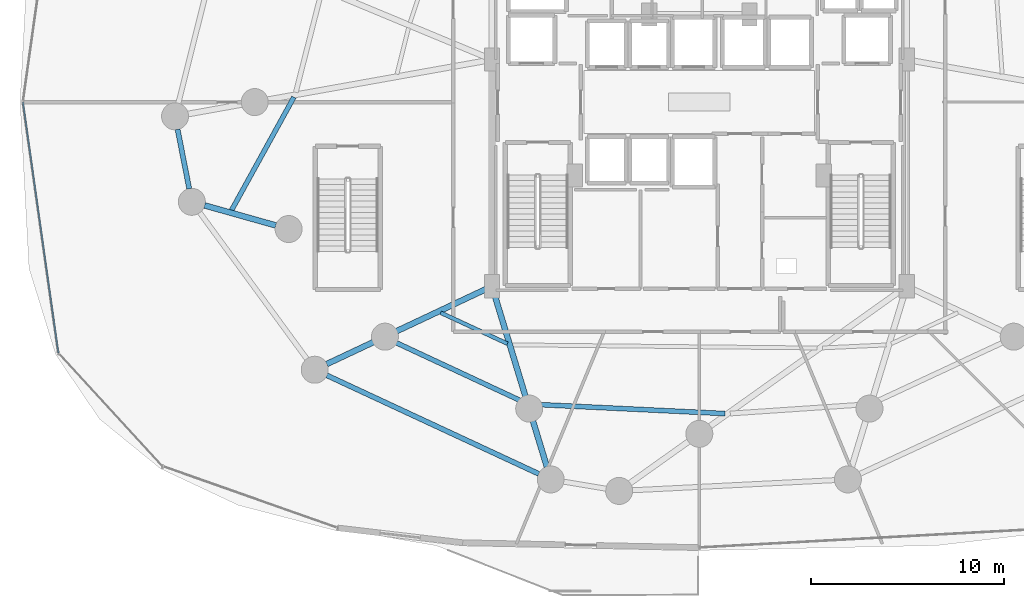
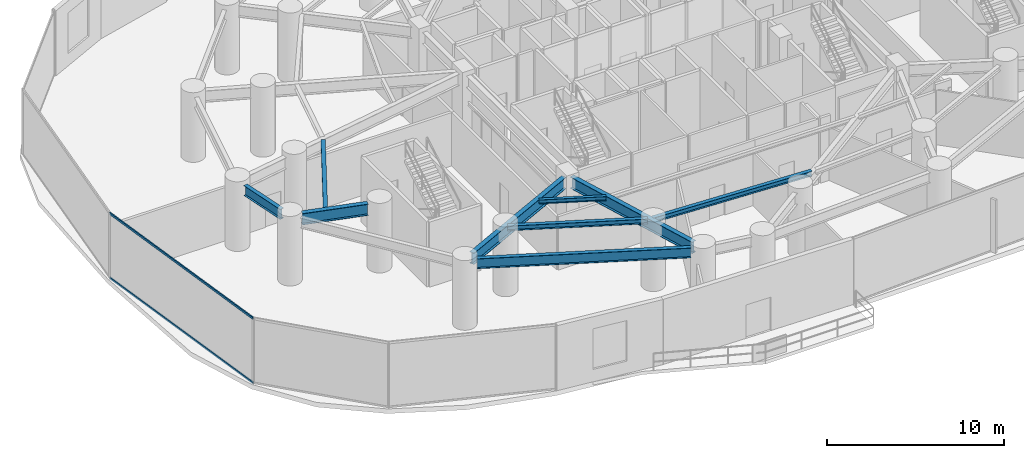
# One storey, part 6 of 30: 9 beams, 2 members, 1 element without a shape of its own.
"""IFC4 building model written with IfcOpenShell, lengths in metres."""

from ifc_helpers import new_model, si_unit, direction, frame, origin, origin_2d, place, context, subcontext, project, spatial, hollow_rectangle, i_section, extrude, material, material_profile, profile_set, type_object, element, aggregate, save


model = new_model("IFC4")

# Units and contexts
model_context = context("Model", 3, precision=1e-05, world=origin(), true_north=direction((0.0, 1.0)))
body_context = subcontext(model_context, "Body", "Model", "MODEL_VIEW")
ifc_project = project(units=[si_unit("LENGTHUNIT", "METRE"), si_unit("AREAUNIT", "SQUARE_METRE"), si_unit("VOLUMEUNIT", "CUBIC_METRE"), si_unit("PLANEANGLEUNIT", "RADIAN"), si_unit("MASSUNIT", "GRAM", prefix="KILO")], contexts=[model_context])

# Site, building, storey
site_placement = place(None, origin())
site = spatial("IfcSite", under=ifc_project, at=site_placement, CompositionType="ELEMENT")
building_placement = place(site_placement, origin())
building = spatial("IfcBuilding", under=site, at=building_placement, Name="Vorneva Point Tower", CompositionType="ELEMENT")
storey_placement = place(building_placement, frame((0.0, 0.0, 9.60009765625)))
storey = spatial("IfcBuildingStorey", under=building, at=storey_placement, Name="L02", CompositionType="ELEMENT", Elevation=9.60009765625)

# Beams
ifc_material_1 = material(Name="Steel S355", Category="steel")
ifc_material_profile_1 = material_profile(ifc_material_1, i_section(OverallWidth=0.300048828125, OverallDepth=0.7880859375, WebThickness=0.014404296875, FlangeThickness=0.02197265625, at=origin_2d()), Name="80Sh1")
ifc_profile_set_1 = profile_set([ifc_material_profile_1], Name="Steel S355")
beam_type_1 = type_object("IfcBeamType", Name="BM-GRD-80Sh1", PredefinedType="USERDEFINED", material=ifc_profile_set_1)
beam_1_placement = place(storey_placement, frame((12.350341796875, 20.643310546875, 4.0859375), z_axis=(0.962602189028, -0.270918854418, 0.0), x_axis=(0.270918854418, 0.962602189028, 0.0)))
element("IfcBeam", 1, at=beam_1_placement, inside=storey, type_object=beam_type_1, Name="L02 Radial Primary Girder 10", ObjectType="GIRDER", PredefinedType="USERDEFINED", context=body_context, shape_type="SweptSolid", body=[
    extrude(i_section(OverallWidth=0.300048828125, OverallDepth=0.7880859375, WebThickness=0.014404296875, FlangeThickness=0.02197265625, at=origin_2d()), origin(), (0.0, 0.0, 1.0), 3.83544921875),
])
beam_2_placement = place(storey_placement, frame((18.683837890625, 12.417236328125, 4.0859375), z_axis=(0.904752620724, 0.425937431195, 0.0), x_axis=(-0.425937431195, 0.904752620724, 0.0)))
element("IfcBeam", 2, at=beam_2_placement, inside=storey, type_object=beam_type_1, Name="L02 Radial Primary Girder 11", ObjectType="GIRDER", PredefinedType="USERDEFINED", context=body_context, shape_type="SweptSolid", body=[
    extrude(i_section(OverallWidth=0.300048828125, OverallDepth=0.7880859375, WebThickness=0.014404296875, FlangeThickness=0.02197265625, at=origin_2d()), origin(), (0.0, 0.0, 1.0), 9.1279296875),
])
beam_3_placement = place(storey_placement, frame((30.0966796875, 7.093505859375, 4.0859375), z_axis=(-0.291056642682, 0.956705822471, 0.0), x_axis=(-0.956705822471, -0.291056642682, 0.0)))
element("IfcBeam", 3, at=beam_3_placement, inside=storey, type_object=beam_type_1, Name="L02 Radial Primary Girder 12", ObjectType="GIRDER", PredefinedType="USERDEFINED", context=body_context, shape_type="SweptSolid", body=[
    extrude(i_section(OverallWidth=0.300048828125, OverallDepth=0.7880859375, WebThickness=0.014404296875, FlangeThickness=0.02197265625, at=origin_2d()), origin(), (0.0, 0.0, 1.0), 9.43994140625),
])
ifc_material_profile_2 = material_profile(ifc_material_1, i_section(OverallWidth=0.199951171875, OverallDepth=0.291015625, WebThickness=0.008056640625, FlangeThickness=0.010986328125, at=origin_2d()), Name="30Sh1")
ifc_profile_set_2 = profile_set([ifc_material_profile_2], Name="Steel S355")
beam_type_2 = type_object("IfcBeamType", Name="BM-SEC-30Sh1", PredefinedType="BEAM", material=ifc_profile_set_2)
beam_4_placement = place(storey_placement, frame((24.590087890625, 15.08056640625, 4.33447265625), z_axis=(0.906841209761, -0.421472443085, 0.0), x_axis=(0.421472443085, 0.906841209761, 0.0)))
element("IfcBeam", 4, at=beam_4_placement, inside=storey, type_object=beam_type_2, Name="L02 Secondary Floor Beam 2.11", PredefinedType="BEAM", context=body_context, shape_type="SweptSolid", body=[
    extrude(i_section(OverallWidth=0.199951171875, OverallDepth=0.291015625, WebThickness=0.008056640625, FlangeThickness=0.010986328125, at=origin_2d()), origin(), (0.0, 0.0, 1.0), 3.813232421875),
])
ifc_material_profile_3 = material_profile(ifc_material_1, i_section(OverallWidth=0.2490234375, OverallDepth=0.333984375, WebThickness=0.008056640625, FlangeThickness=0.010986328125, at=origin_2d()), Name="35Sh1")
ifc_profile_set_3 = profile_set([ifc_material_profile_3], Name="Steel S355")
beam_type_3 = type_object("IfcBeamType", Name="BM-SEC-35Sh1", PredefinedType="BEAM", material=ifc_profile_set_3)
beam_5_placement = place(storey_placement, frame((16.979736328125, 26.254150390625, 4.31298828125), z_axis=(-0.482870120582, -0.875691981606, 0.0), x_axis=(0.875691981606, -0.482870120582, 0.0)))
element("IfcBeam", 5, at=beam_5_placement, inside=storey, type_object=beam_type_3, Name="L02 Secondary Floor Beam 1.09", PredefinedType="BEAM", context=body_context, shape_type="SweptSolid", body=[
    extrude(i_section(OverallWidth=0.2490234375, OverallDepth=0.333984375, WebThickness=0.008056640625, FlangeThickness=0.010986328125, at=origin_2d()), origin(), (0.0, 0.0, 1.0), 6.69677734375),
])
beam_6_placement = place(storey_placement, frame((21.781982421875, 13.758544921875, 4.31298828125), z_axis=(0.906411487063, -0.422395805045, 0.0), x_axis=(0.422395805045, 0.906411487063, 0.0)))
element("IfcBeam", 6, at=beam_6_placement, inside=storey, type_object=beam_type_3, Name="L02 Secondary Floor Beam 1.11", PredefinedType="BEAM", context=body_context, shape_type="SweptSolid", body=[
    extrude(i_section(OverallWidth=0.2490234375, OverallDepth=0.333984375, WebThickness=0.008056640625, FlangeThickness=0.010986328125, at=origin_2d()), origin(), (0.0, 0.0, 1.0), 7.94384765625),
])
beam_7_placement = place(storey_placement, frame((29.245361328125, 10.337890625, 4.31298828125), z_axis=(0.998834350413, -0.048269456539, 0.0), x_axis=(0.048269456539, 0.998834350413, 0.0)))
element("IfcBeam", 7, at=beam_7_placement, inside=storey, type_object=beam_type_3, Name="L02 Secondary Floor Beam 1.12", PredefinedType="BEAM", context=body_context, shape_type="SweptSolid", body=[
    extrude(i_section(OverallWidth=0.2490234375, OverallDepth=0.333984375, WebThickness=0.008056640625, FlangeThickness=0.010986328125, at=origin_2d()), origin(), (0.0, 0.0, 1.0), 10.095458984375),
])
ifc_material_profile_4 = material_profile(ifc_material_1, i_section(OverallWidth=0.260009765625, OverallDepth=0.69091796875, WebThickness=0.011962890625, FlangeThickness=0.015380859375, at=origin_2d()), Name="70B1")
ifc_profile_set_4 = profile_set([ifc_material_profile_4], Name="Steel S355")
beam_type_4 = type_object("IfcBeamType", Name="BM-SPN-70B1", PredefinedType="SPANDREL", material=ifc_profile_set_4)
beam_8_placement = place(storey_placement, frame((10.949951171875, 24.588623046875, 4.134521484375), z_axis=(0.192697267272, -0.981258255092, 0.0), x_axis=(0.981258255092, 0.192697267272, 0.0)))
element("IfcBeam", 8, at=beam_8_placement, inside=storey, type_object=beam_type_4, Name="L02 Perimeter Spandrel Ring Beam 09", PredefinedType="SPANDREL", context=body_context, shape_type="SweptSolid", body=[
    extrude(i_section(OverallWidth=0.260009765625, OverallDepth=0.69091796875, WebThickness=0.011962890625, FlangeThickness=0.015380859375, at=origin_2d()), origin(), (0.0, 0.0, 1.0), 3.145751953125),
])
beam_9_placement = place(storey_placement, frame((18.682373046875, 11.83544921875, 4.134521484375), z_axis=(0.906780557897, -0.421602917234, 0.0), x_axis=(0.421602917234, 0.906780557897, 0.0)))
element("IfcBeam", 9, at=beam_9_placement, inside=storey, type_object=beam_type_4, Name="L02 Perimeter Spandrel Ring Beam 11", PredefinedType="SPANDREL", context=body_context, shape_type="SweptSolid", body=[
    extrude(i_section(OverallWidth=0.260009765625, OverallDepth=0.69091796875, WebThickness=0.011962890625, FlangeThickness=0.015380859375, at=origin_2d()), origin(), (0.0, 0.0, 1.0), 12.12353515625),
])

# Curtain wall, members
ifc_material_2 = material(Name="Pale anodised aluminium", Category="aluminium")
curtain_wall_type = type_object("IfcCurtainWallType", Name="CW-POD-SYS", PredefinedType="NOTDEFINED", material=ifc_material_2)
curtain_wall_placement = place(storey_placement, origin())
curtain_wall = element("IfcCurtainWall", 10, at=curtain_wall_placement, inside=storey, type_object=curtain_wall_type, Name="L02 Unitised Curtain Wall CW-L02-R03", PredefinedType="NOTDEFINED")
ifc_material_profile_5 = material_profile(ifc_material_2, hollow_rectangle(XDim=0.074951171875, YDim=0.14990234375, WallThickness=0.00390625, at=origin_2d()), Name="AL-TRN 150x75x4")
ifc_profile_set_5 = profile_set([ifc_material_profile_5], Name="Pale anodised aluminium")
member_type = type_object("IfcMemberType", Name="CW-TRN-150", PredefinedType="USERDEFINED", material=ifc_profile_set_5)
member_1_placement = place(storey_placement, frame((2.931884765625, 26.0, 0.02001953125), z_axis=(0.139929678474, -0.990161443948, 0.0), x_axis=(0.990161443948, 0.139929678474, 0.0)))
member_1 = element("IfcMember", 11, at=member_1_placement, type_object=member_type, Name="CW-L02-R03 Transom 03.1", ObjectType="TRANSOM", PredefinedType="USERDEFINED", context=body_context, shape_type="SweptSolid", body=[
    extrude(hollow_rectangle(XDim=0.074951171875, YDim=0.14990234375, WallThickness=0.00390625, at=origin_2d()), origin(), (0.0, 0.0, 1.0), 13.130859375),
])
member_2_placement = place(storey_placement, frame((2.931884765625, 26.0, 4.4599609375), z_axis=(0.139929678474, -0.990161443948, 0.0), x_axis=(0.990161443948, 0.139929678474, 0.0)))
member_2 = element("IfcMember", 12, at=member_2_placement, type_object=member_type, Name="CW-L02-R03 Transom 03.2", ObjectType="TRANSOM", PredefinedType="USERDEFINED", context=body_context, shape_type="SweptSolid", body=[
    extrude(hollow_rectangle(XDim=0.074951171875, YDim=0.14990234375, WallThickness=0.00390625, at=origin_2d()), origin(), (0.0, 0.0, 1.0), 13.130859375),
])
aggregate(curtain_wall, [member_1, member_2])

save(model, "model.ifc")
